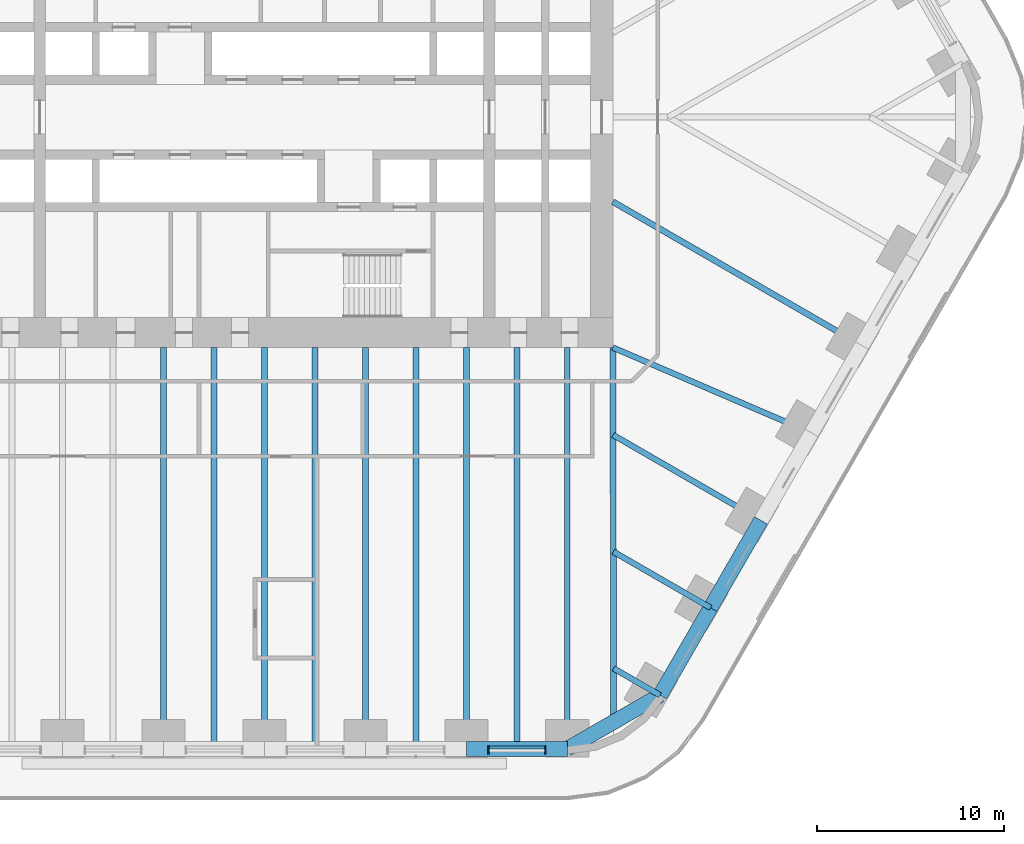
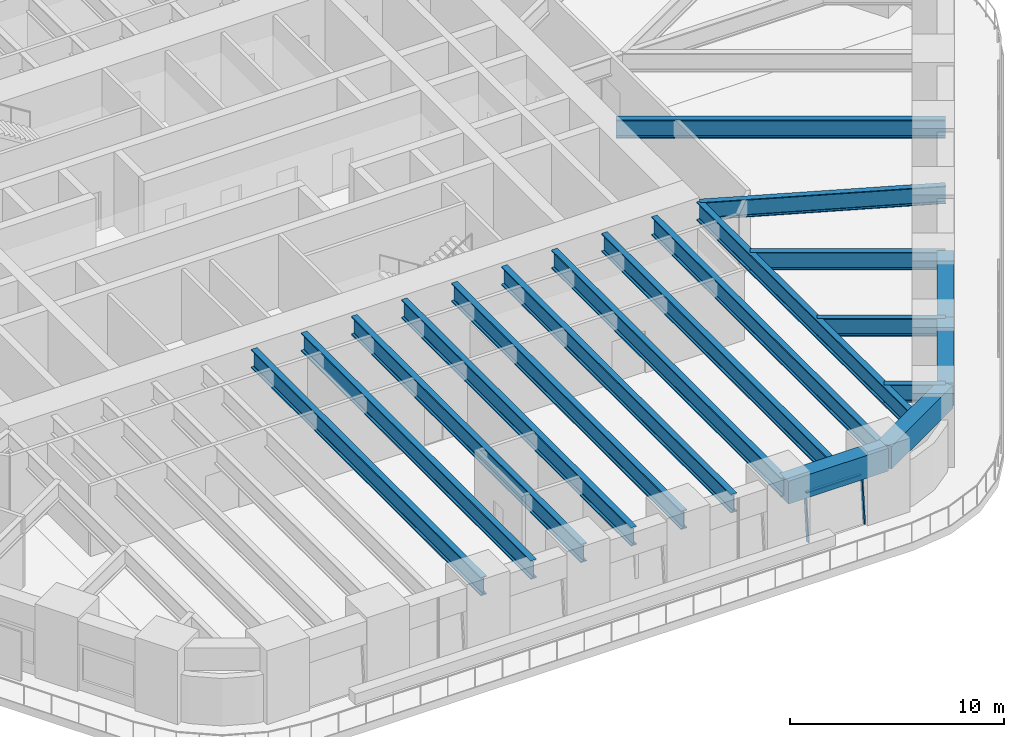
# One storey, part 5 of 23: 19 beams, 3 members, 1 element without a shape of its own.
"""IFC4 building model written with IfcOpenShell, lengths in metres."""

from ifc_helpers import new_model, si_unit, direction, frame, origin, origin_2d, place, context, subcontext, project, spatial, rectangle, i_section, extrude, material, material_profile, profile_set, type_object, element, aggregate, save


model = new_model("IFC4")

# Units and contexts
model_context = context("Model", 3, precision=1e-05, world=origin(), true_north=direction((0.0, 1.0)))
body_context = subcontext(model_context, "Body", "Model", "MODEL_VIEW")
ifc_project = project(units=[si_unit("LENGTHUNIT", "METRE"), si_unit("AREAUNIT", "SQUARE_METRE"), si_unit("VOLUMEUNIT", "CUBIC_METRE"), si_unit("PLANEANGLEUNIT", "RADIAN"), si_unit("MASSUNIT", "GRAM", prefix="KILO")], contexts=[model_context])

# Site, building, storey
site_placement = place(None, origin())
site = spatial("IfcSite", under=ifc_project, at=site_placement, CompositionType="ELEMENT")
building_placement = place(site_placement, origin())
building = spatial("IfcBuilding", under=site, at=building_placement, Name="Tarfa Lantern Tower", CompositionType="ELEMENT")
storey_placement = place(building_placement, frame((0.0, 0.0, 36.10009765625)))
storey = spatial("IfcBuildingStorey", under=building, at=storey_placement, Name="L07", CompositionType="ELEMENT", Elevation=36.10009765625)

# Curtain wall, members
ifc_material_1 = material(Name="Aluminium framed curtain wall", Category="aluminium")
curtain_wall_type = type_object("IfcCurtainWallType", Name="CW1 CANTED GLAZING LOW ZONE 2700", PredefinedType="USERDEFINED", material=ifc_material_1)
curtain_wall_placement = place(storey_placement, origin())
curtain_wall = element("IfcCurtainWall", 1, at=curtain_wall_placement, inside=storey, type_object=curtain_wall_type, Name="CW1 S L07", ObjectType="CURTAIN WALL", PredefinedType="USERDEFINED")
ifc_material_2 = material(Name="Aluminium mullion", Category="aluminium")
ifc_material_profile_1 = material_profile(ifc_material_2, rectangle(XDim=0.06494140625, YDim=0.199951171875, at=origin_2d()), Name="AL MULLION 65x200")
ifc_profile_set_1 = profile_set([ifc_material_profile_1], Name="Aluminium mullion")
member_type_1 = type_object("IfcMemberType", Name="CWM1 MULLION 65x200", PredefinedType="MULLION", material=ifc_profile_set_1)
member_1_placement = place(storey_placement, frame((11.959716796875, -33.89990234375, 0.0), z_axis=(0.0, 0.092199863775, 0.995740520979), x_axis=(-1.0, 0.0, 0.0)))
member_1 = element("IfcMember", 2, at=member_1_placement, type_object=member_type_1, Name="CW1 mullion 1", PredefinedType="MULLION", context=body_context, shape_type="SweptSolid", body=[
    extrude(rectangle(XDim=0.06494140625, YDim=0.199951171875, at=origin_2d()), origin(), (0.0, 0.0, 1.0), 2.71142578125),
])
member_2_placement = place(storey_placement, frame((14.9833984375, -33.89990234375, 0.0), z_axis=(0.0, 0.092199863775, 0.995740520979), x_axis=(-1.0, 0.0, 0.0)))
member_2 = element("IfcMember", 3, at=member_2_placement, type_object=member_type_1, Name="CW1 mullion 2", PredefinedType="MULLION", context=body_context, shape_type="SweptSolid", body=[
    extrude(rectangle(XDim=0.06494140625, YDim=0.199951171875, at=origin_2d()), origin(), (0.0, 0.0, 1.0), 2.71142578125),
])
ifc_material_3 = material(Name="Aluminium transom", Category="aluminium")
ifc_material_profile_2 = material_profile(ifc_material_3, rectangle(XDim=0.14990234375, YDim=0.06494140625, at=origin_2d()), Name="AL TRANSOM 150x65")
ifc_profile_set_2 = profile_set([ifc_material_profile_2], Name="Aluminium transom")
member_type_2 = type_object("IfcMemberType", Name="CWT1 TRANSOM 150x65", PredefinedType="USERDEFINED", material=ifc_profile_set_2)
member_3_placement = place(storey_placement, frame((11.9921875, -33.653076171875, 2.66748046875), z_axis=(1.0, 0.0, 0.0), x_axis=(0.0, 1.0, 0.0)))
member_3 = element("IfcMember", 4, at=member_3_placement, type_object=member_type_2, Name="CW1 transom 1.2", ObjectType="TRANSOM", PredefinedType="USERDEFINED", context=body_context, shape_type="SweptSolid", body=[
    extrude(rectangle(XDim=0.14990234375, YDim=0.06494140625, at=origin_2d()), origin(), (0.0, 0.0, 1.0), 2.958740234375),
])
aggregate(curtain_wall, [member_1, member_2, member_3])

# Beams
ifc_material_4 = material(Name="Concrete C80/95", Category="concrete")
ifc_material_profile_3 = material_profile(ifc_material_4, rectangle(XDim=0.800048828125, YDim=1.300048828125, at=origin_2d()), Name="RC 800x1300")
ifc_profile_set_3 = profile_set([ifc_material_profile_3], Name="Concrete C80/95")
beam_type_1 = type_object("IfcBeamType", Name="EB1 RC 800x1300", PredefinedType="SPANDREL", material=ifc_profile_set_3)
beam_1_placement = place(storey_placement, frame((10.777099609375, -33.719970703125, 3.349853515625), z_axis=(1.0, 0.0, 0.0), x_axis=(0.0, 1.0, 0.0)))
element("IfcBeam", 5, at=beam_1_placement, inside=storey, type_object=beam_type_1, Name="Edge beam S5", PredefinedType="SPANDREL", context=body_context, shape_type="SweptSolid", body=[
    extrude(rectangle(XDim=0.800048828125, YDim=1.300048828125, at=origin_2d()), origin(), (0.0, 0.0, 1.0), 5.388671875),
])
beam_2_placement = place(storey_placement, frame((16.165771484375, -33.719970703125, 3.349853515625), z_axis=(0.866033479681, 0.499986011877, 0.0), x_axis=(-0.499986011877, 0.866033479681, 0.0)))
element("IfcBeam", 6, at=beam_2_placement, inside=storey, type_object=beam_type_1, Name="Edge beam S6", PredefinedType="SPANDREL", context=body_context, shape_type="SweptSolid", body=[
    extrude(rectangle(XDim=0.800048828125, YDim=1.300048828125, at=origin_2d()), origin(), (0.0, 0.0, 1.0), 5.719970703125),
])
for number, where, z_axis, x_axis, name in (
    (7, (21.119384765625, -30.860107421875, 3.349853515625), (0.499998287579, 0.866026392449, 0.0), (-0.866026392449, 0.499998287579, 0.0), "Edge beam SE0"),
    (8, (23.813720703125, -26.193359375, 3.349853515625), (0.499998287579, 0.866026392449, 0.0), (-0.866026392449, 0.499998287579, 0.0), "Edge beam SE1"),
):
    element("IfcBeam", number, at=place(storey_placement, frame(where, z_axis=z_axis, x_axis=x_axis)), inside=storey, type_object=beam_type_1, Name=name, PredefinedType="SPANDREL", context=body_context, shape_type="SweptSolid", body=[
        extrude(rectangle(XDim=0.800048828125, YDim=1.300048828125, at=origin_2d()), origin(), (0.0, 0.0, 1.0), 5.388671875),
    ])
ifc_material_5 = material(Name="Steel S460M", Category="steel")
ifc_material_profile_4 = material_profile(ifc_material_5, i_section(OverallWidth=0.302001953125, OverallDepth=1.008056640625, WebThickness=0.02099609375, FlangeThickness=0.0400390625, FilletRadius=0.030029296875, at=origin_2d()), Name="UB1016x305x349")
ifc_profile_set_4 = profile_set([ifc_material_profile_4], Name="Steel S460M")
beam_type_2 = type_object("IfcBeamType", Name="UB1016x305x349", PredefinedType="BEAM", material=ifc_profile_set_4)
beam_3_placement = place(storey_placement, frame((21.119384765625, -30.860107421875, 3.495849609375), z_axis=(-0.866012580594, 0.500022209759, 0.0), x_axis=(-0.500022209759, -0.866012580594, 0.0)))
element("IfcBeam", 9, at=beam_3_placement, inside=storey, type_object=beam_type_2, Name="Floor beam SE0", PredefinedType="BEAM", context=body_context, shape_type="SweptSolid", body=[
    extrude(i_section(OverallWidth=0.302001953125, OverallDepth=1.008056640625, WebThickness=0.02099609375, FlangeThickness=0.0400390625, FilletRadius=0.030029296875, at=origin_2d()), origin(), (0.0, 0.0, 1.0), 2.866943359375),
])
beam_4_placement = place(storey_placement, frame((23.813720703125, -26.193359375, 3.495849609375), z_axis=(-0.866015997389, 0.500016292001, 0.0), x_axis=(-0.500016292001, -0.866015997389, 0.0)))
element("IfcBeam", 10, at=beam_4_placement, inside=storey, type_object=beam_type_2, Name="Floor beam SE1", PredefinedType="BEAM", context=body_context, shape_type="SweptSolid", body=[
    extrude(i_section(OverallWidth=0.302001953125, OverallDepth=1.008056640625, WebThickness=0.02099609375, FlangeThickness=0.0400390625, FilletRadius=0.030029296875, at=origin_2d()), origin(), (0.0, 0.0, 1.0), 5.993408203125),
])
beam_5_placement = place(storey_placement, frame((26.508056640625, -21.526611328125, 3.495849609375), z_axis=(-0.866035355799, 0.49998276221, 0.0), x_axis=(-0.49998276221, -0.866035355799, 0.0)))
element("IfcBeam", 11, at=beam_5_placement, inside=storey, type_object=beam_type_2, Name="Floor beam SE2", PredefinedType="BEAM", context=body_context, shape_type="SweptSolid", body=[
    extrude(i_section(OverallWidth=0.302001953125, OverallDepth=1.008056640625, WebThickness=0.02099609375, FlangeThickness=0.0400390625, FilletRadius=0.030029296875, at=origin_2d()), origin(), (0.0, 0.0, 1.0), 9.119873046875),
])
beam_6_placement = place(storey_placement, frame((29.202392578125, -16.860107421875, 3.495849609375), z_axis=(-0.918635483867, 0.395106122175, 0.0), x_axis=(-0.395106122175, -0.918635483867, 0.0)))
element("IfcBeam", 12, at=beam_6_placement, inside=storey, type_object=beam_type_2, Name="Floor beam SE3", PredefinedType="BEAM", context=body_context, shape_type="SweptSolid", body=[
    extrude(i_section(OverallWidth=0.302001953125, OverallDepth=1.008056640625, WebThickness=0.02099609375, FlangeThickness=0.0400390625, FilletRadius=0.030029296875, at=origin_2d()), origin(), (0.0, 0.0, 1.0), 11.541259765625),
])
ifc_material_profile_5 = material_profile(ifc_material_5, i_section(OverallWidth=0.314208984375, OverallDepth=1.055908203125, WebThickness=0.035888671875, FlangeThickness=0.06396484375, FilletRadius=0.030029296875, at=origin_2d()), Name="UB1016x305x584")
ifc_profile_set_5 = profile_set([ifc_material_profile_5], Name="Steel S460M")
beam_type_3 = type_object("IfcBeamType", Name="UB1016x305x584", PredefinedType="BEAM", material=ifc_profile_set_5)
beam_7_placement = place(storey_placement, frame((18.60009765625, -12.300048828125, 3.471923828125), z_axis=(0.00212508222, -0.99999774201, 0.0), x_axis=(0.99999774201, 0.00212508222, 0.0)))
element("IfcBeam", 13, at=beam_7_placement, inside=storey, type_object=beam_type_3, Name="Hip girder SE", PredefinedType="BEAM", context=body_context, shape_type="SweptSolid", body=[
    extrude(i_section(OverallWidth=0.314208984375, OverallDepth=1.055908203125, WebThickness=0.035888671875, FlangeThickness=0.06396484375, FilletRadius=0.030029296875, at=origin_2d()), origin(), (0.0, 0.0, 1.0), 19.989990234375),
])
for number, where, z_axis, x_axis, name in (
    (14, (-5.388671875, -33.719970703125, 3.471923828125), (0.0, 1.0, 0.0), (-1.0, 0.0, 0.0), "Floor beam S2"),
    (15, (0.0, -33.719970703125, 3.471923828125), (0.0, 1.0, 0.0), (-1.0, 0.0, 0.0), "Floor beam S3"),
    (16, (5.388671875, -33.719970703125, 3.471923828125), (0.0, 1.0, 0.0), (-1.0, 0.0, 0.0), "Floor beam S4"),
    (17, (10.777099609375, -33.719970703125, 3.471923828125), (0.0, 1.0, 0.0), (-1.0, 0.0, 0.0), "Floor beam S5"),
    (18, (16.165771484375, -33.719970703125, 3.471923828125), (0.0, 1.0, 0.0), (-1.0, 0.0, 0.0), "Floor beam S6"),
):
    element("IfcBeam", number, at=place(storey_placement, frame(where, z_axis=z_axis, x_axis=x_axis)), inside=storey, type_object=beam_type_3, Name=name, PredefinedType="BEAM", context=body_context, shape_type="SweptSolid", body=[
        extrude(i_section(OverallWidth=0.314208984375, OverallDepth=1.055908203125, WebThickness=0.035888671875, FlangeThickness=0.06396484375, FilletRadius=0.030029296875, at=origin_2d()), origin(), (0.0, 0.0, 1.0), 21.419921875),
    ])
beam_8_placement = place(storey_placement, frame((31.896728515625, -12.193359375, 3.471923828125), z_axis=(-0.866026971665, 0.499997284341, 0.0), x_axis=(-0.499997284341, -0.866026971665, 0.0)))
element("IfcBeam", 19, at=beam_8_placement, inside=storey, type_object=beam_type_3, Name="Floor beam SE4", PredefinedType="BEAM", context=body_context, shape_type="SweptSolid", body=[
    extrude(i_section(OverallWidth=0.314208984375, OverallDepth=1.055908203125, WebThickness=0.035888671875, FlangeThickness=0.06396484375, FilletRadius=0.030029296875, at=origin_2d()), origin(), (0.0, 0.0, 1.0), 15.353515625),
])
for number, where, z_axis, x_axis, name in (
    (20, (-2.6943359375, -33.719970703125, 3.471923828125), (0.0, 1.0, 0.0), (-1.0, 0.0, 0.0), "Floor beam S2M"),
    (21, (2.6943359375, -33.719970703125, 3.471923828125), (0.0, 1.0, 0.0), (-1.0, 0.0, 0.0), "Floor beam S3M"),
    (22, (8.0830078125, -33.719970703125, 3.471923828125), (0.0, 1.0, 0.0), (-1.0, 0.0, 0.0), "Floor beam S4M"),
    (23, (13.471435546875, -33.719970703125, 3.471923828125), (0.0, 1.0, 0.0), (-1.0, 0.0, 0.0), "Floor beam S5M"),
):
    element("IfcBeam", number, at=place(storey_placement, frame(where, z_axis=z_axis, x_axis=x_axis)), inside=storey, type_object=beam_type_3, Name=name, PredefinedType="BEAM", context=body_context, shape_type="SweptSolid", body=[
        extrude(i_section(OverallWidth=0.314208984375, OverallDepth=1.055908203125, WebThickness=0.035888671875, FlangeThickness=0.06396484375, FilletRadius=0.030029296875, at=origin_2d()), origin(), (0.0, 0.0, 1.0), 21.419921875),
    ])

save(model, "model.ifc")
